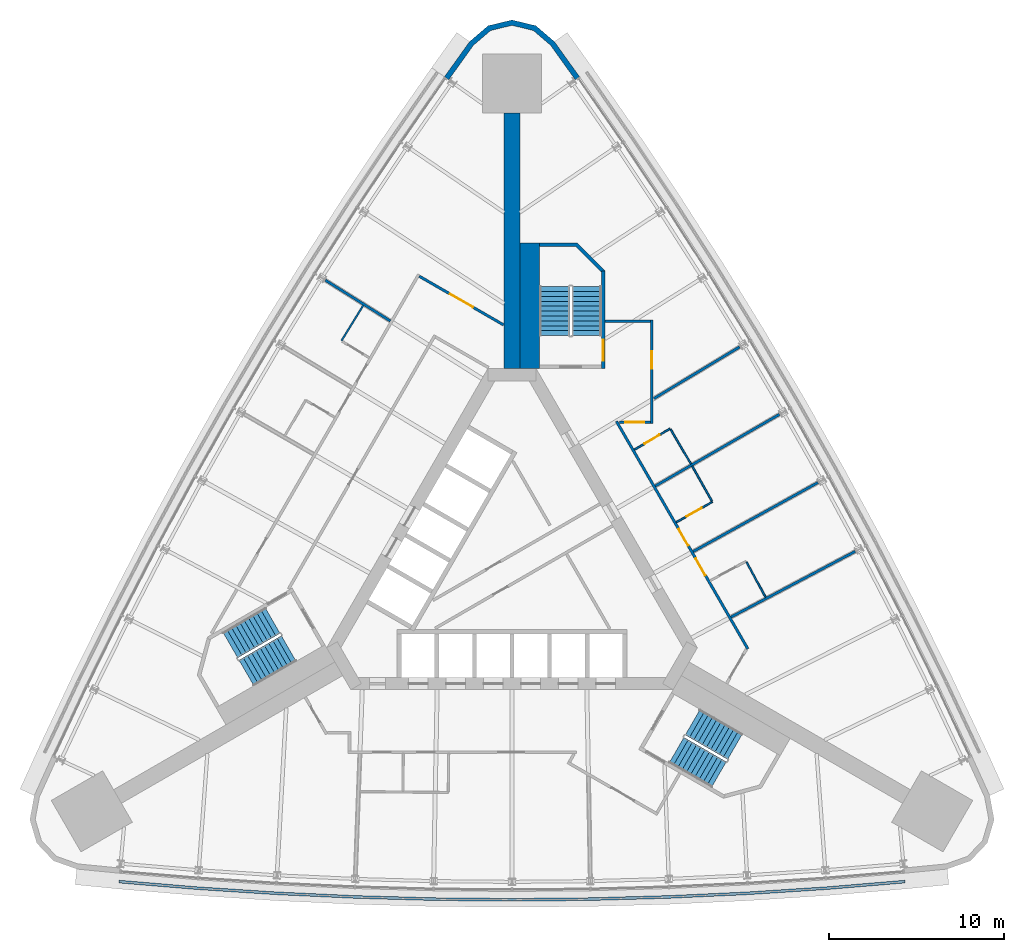
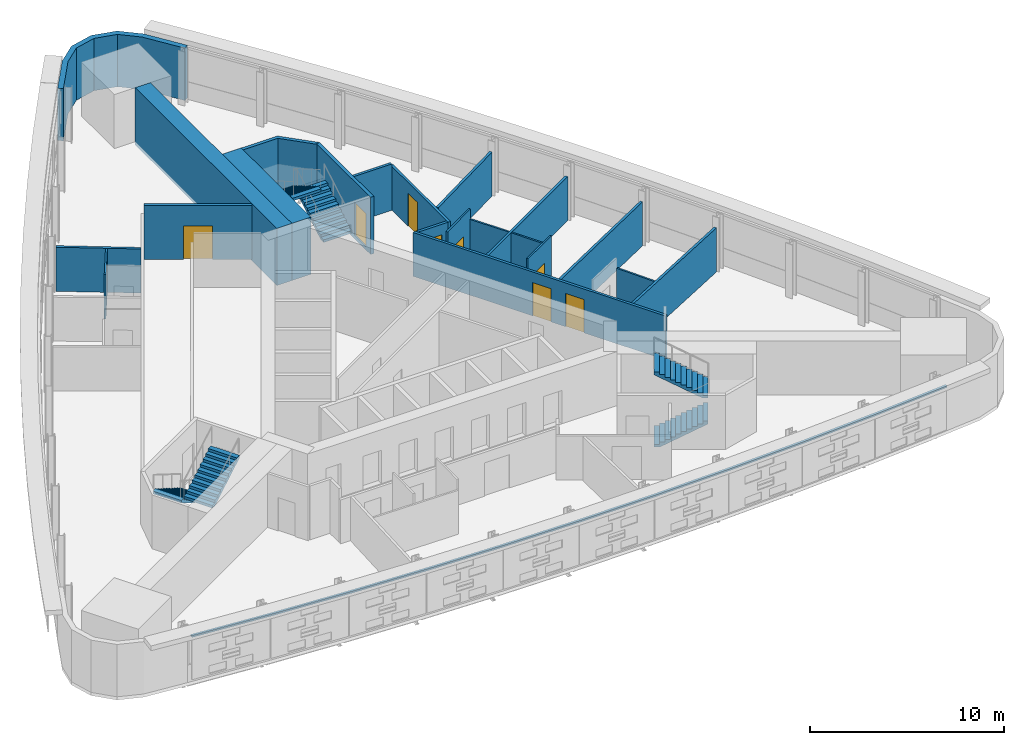
# One storey, part 12 of 15: 21 walls, 8 doors, 6 stair flights, 1 discrete accessory, 8 openings, 3 elements without a shape of their own.
"""IFC4 building model written with IfcOpenShell, lengths in metres."""

from ifc_helpers import new_model, si_unit, direction, frame, frame_2d, origin, place, context, subcontext, project, spatial, polyline, rectangle, outline, extrude, material, layer, layer_set, type_object, element, fill, aggregate, save


model = new_model("IFC4")

# Units and contexts
model_context = context("Model", 3, precision=1e-05, world=origin(), true_north=direction((0.0, 1.0)))
body_context = subcontext(model_context, "Body", "Model", "MODEL_VIEW")
ifc_project = project(units=[si_unit("LENGTHUNIT", "METRE"), si_unit("AREAUNIT", "SQUARE_METRE"), si_unit("VOLUMEUNIT", "CUBIC_METRE"), si_unit("PLANEANGLEUNIT", "RADIAN"), si_unit("MASSUNIT", "GRAM", prefix="KILO")], contexts=[model_context])

# Site, building, storey
site_placement = place(None, origin())
site = spatial("IfcSite", under=ifc_project, at=site_placement, CompositionType="ELEMENT")
building_placement = place(site_placement, origin())
building = spatial("IfcBuilding", under=site, at=building_placement, Name="Noor Cloister Tower", CompositionType="ELEMENT")
storey_placement = place(building_placement, frame((0.0, 0.0, 31.199951171875)))
storey = spatial("IfcBuildingStorey", under=building, at=storey_placement, Name="L07", CompositionType="ELEMENT", Elevation=31.199951171875)

# Wall
ifc_material_1 = material(Name="Concrete C80/95", Category="concrete")
ifc_layer_1 = layer(ifc_material_1, 0.89990234375)
ifc_layer_set_1 = layer_set([ifc_layer_1], Name="Buttress wall 900 C80/95")
wall_type_1 = type_object("IfcWallType", Name="Buttress wall 900 C80/95", PredefinedType="SHEAR", material=ifc_layer_set_1)
wall_1_placement = place(storey_placement, frame((0.0, 11.456298828125, -0.199951171875), z_axis=(0.0, 0.0, 1.0), x_axis=(0.0, 1.0, 0.0)))
element("IfcWall", 1, at=wall_1_placement, inside=storey, type_object=wall_type_1, Name="Buttress wall N L07", PredefinedType="SHEAR", context=body_context, shape_type="SweptSolid", body=[
    extrude(rectangle(XDim=14.6328125, YDim=0.89990234375, at=frame_2d((7.31640625, 0.0))), origin(), (0.0, 0.0, 1.0), 3.60009765625),
])

# Wall, openings, doors
ifc_material_2 = material(Name="Gypsum board partition on steel studs, 150 mm", Category="steel")
ifc_layer_2 = layer(ifc_material_2, 0.14990234375)
ifc_layer_set_2 = layer_set([ifc_layer_2], Name="Flat wall 150")
wall_type_2 = type_object("IfcWallType", Name="Flat wall 150", PredefinedType="PARTITIONING", material=ifc_layer_set_2)
wall_2_placement = place(storey_placement, frame((5.9814453125, 8.4462890625, 0.0), z_axis=(0.0, 0.0, 1.0), x_axis=(0.499996620721, -0.866027354803, 0.0)))
wall_2 = element("IfcWall", 2, at=wall_2_placement, inside=storey, type_object=wall_type_2, Name="Flat wall 150 L07 003", PredefinedType="PARTITIONING", context=body_context, shape_type="SweptSolid", body=[
    extrude(rectangle(XDim=15.056640625, YDim=0.14990234375, at=frame_2d((7.5283203125, 0.0))), origin(), (0.0, 0.0, 1.0), 2.76806640625),
])
opening_1_placement = place(wall_2_placement, frame((9.08740234375, 0.0, 0.0)))
opening_1 = element("IfcOpeningElement", 3, at=opening_1_placement, cuts=wall_2, Name="Opening L07-005", PredefinedType="OPENING", context=body_context, shape_type="SweptSolid", body=[
    extrude(rectangle(XDim=1.10009765625, YDim=2.10009765625, at=frame_2d((0.550048828125, 1.050048828125))), frame((0.0, 0.0849609375, 0.0), z_axis=(0.0, -1.0, 0.0), x_axis=(1.0, 0.0, 0.0)), (0.0, 0.0, 1.0), 0.169921875),
])
opening_2_placement = place(wall_2_placement, frame((7.127685546875, 0.0, 0.0)))
opening_2 = element("IfcOpeningElement", 4, at=opening_2_placement, cuts=wall_2, Name="Opening L07-006", PredefinedType="OPENING", context=body_context, shape_type="SweptSolid", body=[
    extrude(rectangle(XDim=1.10009765625, YDim=2.10009765625, at=frame_2d((0.550048828125, 1.050048828125))), frame((0.0, 0.0849609375, 0.0), z_axis=(0.0, -1.0, 0.0), x_axis=(1.0, 0.0, 0.0)), (0.0, 0.0, 1.0), 0.169921875),
])
ifc_material_3 = material(Name="Timber door leaf with steel frame", Category="steel")
door_type_1 = type_object("IfcDoorType", Name="Resident room door 1100", OperationType="NOTDEFINED", PredefinedType="DOOR", material=ifc_material_3)
door_1_placement = place(opening_1_placement, origin())
door_1 = element("IfcDoor", 5, at=door_1_placement, inside=storey, type_object=door_type_1, Name="Resident room door 1100 L07-005", OperationType="SINGLE_SWING_RIGHT", OverallHeight=2.10009765625, OverallWidth=1.10009765625, PredefinedType="DOOR", context=body_context, shape_type="SweptSolid", body=[
    extrude(rectangle(XDim=1.10009765625, YDim=2.10009765625, at=frame_2d((0.550048828125, 1.050048828125))), frame((0.0, 0.02490234375, 0.0), z_axis=(0.0, -1.0, 0.0), x_axis=(1.0, 0.0, 0.0)), (0.0, 0.0, 1.0), 0.050048828125),
])
fill(opening_1, door_1)
door_2_placement = place(opening_2_placement, origin())
door_2 = element("IfcDoor", 6, at=door_2_placement, inside=storey, type_object=door_type_1, Name="Resident room door 1100 L07-006", OperationType="SINGLE_SWING_RIGHT", OverallHeight=2.10009765625, OverallWidth=1.10009765625, PredefinedType="DOOR", context=body_context, shape_type="SweptSolid", body=[
    extrude(rectangle(XDim=1.10009765625, YDim=2.10009765625, at=frame_2d((0.550048828125, 1.050048828125))), frame((0.0, 0.02490234375, 0.0), z_axis=(0.0, -1.0, 0.0), x_axis=(1.0, 0.0, 0.0)), (0.0, 0.0, 1.0), 0.050048828125),
])
fill(opening_2, door_2)

# Wall, opening, door
wall_3_placement = place(storey_placement, frame((8.010498046875, 14.25634765625, 0.0), z_axis=(0.0, 0.0, 1.0), x_axis=(0.0, -1.0, 0.0)))
wall_3 = element("IfcWall", 7, at=wall_3_placement, inside=storey, type_object=wall_type_2, Name="Flat wall 150 L07 005", PredefinedType="PARTITIONING", context=body_context, shape_type="SweptSolid", body=[
    extrude(rectangle(XDim=5.949951171875, YDim=0.14990234375, at=frame_2d((2.97509765625, 0.0))), origin(), (0.0, 0.0, 1.0), 2.76806640625),
])
opening_3_placement = place(wall_3_placement, frame((1.80712890625, 0.0, 0.0)))
opening_3 = element("IfcOpeningElement", 8, at=opening_3_placement, cuts=wall_3, Name="Opening L07-010", PredefinedType="OPENING", context=body_context, shape_type="SweptSolid", body=[
    extrude(rectangle(XDim=1.0, YDim=2.10009765625, at=frame_2d((0.5, 1.050048828125))), frame((0.0, 0.0849609375, 0.0), z_axis=(0.0, -1.0, 0.0), x_axis=(1.0, 0.0, 0.0)), (0.0, 0.0, 1.0), 0.169921875),
])
ifc_material_4 = material(Name="Timber door leaf with steel frame", Category="steel")
door_type_2 = type_object("IfcDoorType", Name="Interior door 1000 FD60", OperationType="NOTDEFINED", PredefinedType="DOOR", material=ifc_material_4)
door_3_placement = place(opening_3_placement, origin())
door_3 = element("IfcDoor", 9, at=door_3_placement, inside=storey, type_object=door_type_2, Name="Interior door 1000 L07-010", OperationType="SINGLE_SWING_LEFT", OverallHeight=2.10009765625, OverallWidth=1.0, PredefinedType="DOOR", context=body_context, shape_type="SweptSolid", body=[
    extrude(rectangle(XDim=1.0, YDim=2.10009765625, at=frame_2d((0.5, 1.050048828125))), frame((0.0, 0.02490234375, 0.0), z_axis=(0.0, -1.0, 0.0), x_axis=(1.0, 0.0, 0.0)), (0.0, 0.0, 1.0), 0.050048828125),
])
fill(opening_3, door_3)

wall_4_placement = place(storey_placement, frame((-5.3125, 16.754638671875, 0.0), z_axis=(0.0, 0.0, 1.0), x_axis=(0.866028693448, -0.499994302092, 0.0)))
wall_4 = element("IfcWall", 10, at=wall_4_placement, inside=storey, type_object=wall_type_2, Name="Flat wall 150 L07 007", PredefinedType="PARTITIONING", context=body_context, shape_type="SweptSolid", body=[
    extrude(rectangle(XDim=5.5712890625, YDim=0.14990234375, at=frame_2d((2.78564453125, 0.0))), origin(), (0.0, 0.0, 1.0), 3.400146484375),
])
opening_4_placement = place(wall_4_placement, frame((2.045166015625, 0.0, 0.0)))
opening_4 = element("IfcOpeningElement", 11, at=opening_4_placement, cuts=wall_4, Name="Opening L07-012", PredefinedType="OPENING", context=body_context, shape_type="SweptSolid", body=[
    extrude(rectangle(XDim=1.5, YDim=2.10009765625, at=frame_2d((0.75, 1.050048828125))), frame((0.0, 0.0849609375, 0.0), z_axis=(0.0, -1.0, 0.0), x_axis=(1.0, 0.0, 0.0)), (0.0, 0.0, 1.0), 0.169921875),
])
ifc_material_5 = material(Name="Timber door leaf with steel frame", Category="steel")
door_type_3 = type_object("IfcDoorType", Name="Double door 1500 FD60", OperationType="NOTDEFINED", PredefinedType="DOOR", material=ifc_material_5)
door_4_placement = place(opening_4_placement, origin())
door_4 = element("IfcDoor", 12, at=door_4_placement, inside=storey, type_object=door_type_3, Name="Double door 1500 L07-012", OperationType="DOUBLE_DOOR_SINGLE_SWING", OverallHeight=2.10009765625, OverallWidth=1.5, PredefinedType="DOOR", context=body_context, shape_type="SweptSolid", body=[
    extrude(rectangle(XDim=1.5, YDim=2.10009765625, at=frame_2d((0.75, 1.050048828125))), frame((0.0, 0.02490234375, 0.0), z_axis=(0.0, -1.0, 0.0), x_axis=(1.0, 0.0, 0.0)), (0.0, 0.0, 1.0), 0.050048828125),
])
fill(opening_4, door_4)

# Wall
wall_5_placement = place(storey_placement, frame((5.335693359375, 14.181396484375, 0.0), z_axis=(0.0, 0.0, 1.0), x_axis=(1.0, 0.0, 0.0)))
element("IfcWall", 13, at=wall_5_placement, inside=storey, type_object=wall_type_2, Name="Flat wall 150 L07 009", PredefinedType="PARTITIONING", context=body_context, shape_type="SweptSolid", body=[
    extrude(rectangle(XDim=2.599853515625, YDim=0.14990234375, at=frame_2d((1.2998046875, 0.0))), origin(), (0.0, 0.0, 1.0), 2.923095703125),
])

# Wall, opening, door
wall_6_placement = place(storey_placement, frame((7.935546875, 8.38134765625, 0.0), z_axis=(0.0, 0.0, 1.0), x_axis=(-1.0, 0.0, 0.0)))
wall_6 = element("IfcWall", 14, at=wall_6_placement, inside=storey, type_object=wall_type_2, Name="Flat wall 150 L07 013", PredefinedType="PARTITIONING", context=body_context, shape_type="SweptSolid", body=[
    extrude(rectangle(XDim=1.786865234375, YDim=0.14990234375, at=frame_2d((0.8935546875, 0.0))), origin(), (0.0, 0.0, 1.0), 2.76806640625),
])
opening_5_placement = place(wall_6_placement, frame((0.352783203125, 0.0, 0.0)))
opening_5 = element("IfcOpeningElement", 15, at=opening_5_placement, cuts=wall_6, Name="Opening L07-015", PredefinedType="OPENING", context=body_context, shape_type="SweptSolid", body=[
    extrude(rectangle(XDim=1.10009765625, YDim=2.10009765625, at=frame_2d((0.550048828125, 1.050048828125))), frame((0.0, 0.0849609375, 0.0), z_axis=(0.0, -1.0, 0.0), x_axis=(1.0, 0.0, 0.0)), (0.0, 0.0, 1.0), 0.169921875),
])
door_5_placement = place(opening_5_placement, origin())
door_5 = element("IfcDoor", 16, at=door_5_placement, inside=storey, type_object=door_type_1, Name="Resident room door 1100 L07-015", OperationType="SINGLE_SWING_RIGHT", OverallHeight=2.10009765625, OverallWidth=1.10009765625, PredefinedType="DOOR", context=body_context, shape_type="SweptSolid", body=[
    extrude(rectangle(XDim=1.10009765625, YDim=2.10009765625, at=frame_2d((0.550048828125, 1.050048828125))), frame((0.0, 0.02490234375, 0.0), z_axis=(0.0, -1.0, 0.0), x_axis=(1.0, 0.0, 0.0)), (0.0, 0.0, 1.0), 0.050048828125),
])
fill(opening_5, door_5)

# Walls
wall_7_placement = place(storey_placement, frame((15.31396484375, 8.841552734375, 0.0), z_axis=(0.0, 0.0, 1.0), x_axis=(-0.866015124653, -0.500017803555, 0.0)))
element("IfcWall", 17, at=wall_7_placement, inside=storey, type_object=wall_type_2, Name="Flat wall 150 L07 017", PredefinedType="PARTITIONING", context=body_context, shape_type="SweptSolid", body=[
    extrude(rectangle(XDim=8.204833984375, YDim=0.14990234375, at=frame_2d((4.1025390625, 0.0))), origin(), (0.0, 0.0, 1.0), 2.76806640625),
])
wall_8_placement = place(storey_placement, frame((17.5205078125, 4.936767578125, 0.0), z_axis=(0.0, 0.0, 1.0), x_axis=(-0.875148563779, -0.483854307944, 0.0)))
element("IfcWall", 18, at=wall_8_placement, inside=storey, type_object=wall_type_2, Name="Flat wall 150 L07 018", PredefinedType="PARTITIONING", context=body_context, shape_type="SweptSolid", body=[
    extrude(rectangle(XDim=8.16357421875, YDim=0.14990234375, at=frame_2d((4.081787109375, 0.0))), origin(), (0.0, 0.0, 1.0), 2.76806640625),
])
wall_9_placement = place(storey_placement, frame((19.654052734375, 0.99169921875, 0.0), z_axis=(0.0, 0.0, 1.0), x_axis=(-0.883980590433, -0.467523599124, 0.0)))
element("IfcWall", 19, at=wall_9_placement, inside=storey, type_object=wall_type_2, Name="Flat wall 150 L07 019", PredefinedType="PARTITIONING", context=body_context, shape_type="SweptSolid", body=[
    extrude(rectangle(XDim=8.041259765625, YDim=0.14990234375, at=frame_2d((4.0205078125, 0.0))), origin(), (0.0, 0.0, 1.0), 2.778076171875),
])
wall_10_placement = place(storey_placement, frame((13.03564453125, 12.704833984375, 0.0), z_axis=(0.0, 0.0, 1.0), x_axis=(-0.856612490534, -0.515960309579, 0.0)))
element("IfcWall", 20, at=wall_10_placement, inside=storey, type_object=wall_type_2, Name="Flat wall 150 L07 022", PredefinedType="PARTITIONING", context=body_context, shape_type="SweptSolid", body=[
    extrude(rectangle(XDim=5.7333984375, YDim=0.14990234375, at=frame_2d((2.86669921875, 0.0))), origin(), (0.0, 0.0, 1.0), 2.76806640625),
])
wall_11_placement = place(storey_placement, frame((-10.685791015625, 16.525146484375, 0.0), z_axis=(0.0, 0.0, 1.0), x_axis=(0.846871345174, -0.531797823165, 0.0)))
element("IfcWall", 21, at=wall_11_placement, inside=storey, type_object=wall_type_2, Name="Flat wall 150 L07 025", PredefinedType="PARTITIONING", context=body_context, shape_type="SweptSolid", body=[
    extrude(rectangle(XDim=4.388916015625, YDim=0.14990234375, at=frame_2d((2.1943359375, 0.0))), origin(), (0.0, 0.0, 1.0), 2.778076171875),
])
ifc_material_6 = material(Name="Limestone", Category="masonry")
ifc_layer_3 = layer(ifc_material_6, 0.300048828125)
ifc_layer_set_3 = layer_set([ifc_layer_3], Name="Limestone cladding 300")
wall_type_3 = type_object("IfcWallType", Name="Limestone cladding 300", PredefinedType="NOTDEFINED", material=ifc_layer_set_3)
wall_12_placement = place(storey_placement, origin())
element("IfcWall", 22, at=wall_12_placement, inside=storey, type_object=wall_type_3, Name="Limestone pier cladding L07 3.1", PredefinedType="NOTDEFINED", context=body_context, shape_type="SweptSolid", body=[
    extrude(outline(polyline([(3.869873046875, 28.177734375), (2.43017578125, 30.188232421875), (1.3642578125, 31.100830078125), (0.0, 31.428955078125), (-1.3642578125, 31.100830078125), (-2.43017578125, 30.188232421875), (-3.869873046875, 28.177734375), (-3.6259765625, 28.003173828125), (-2.20751953125, 29.98388671875), (-1.223876953125, 30.826171875), (0.0, 31.12060546875), (1.223876953125, 30.826171875), (2.20751953125, 29.98388671875), (3.6259765625, 28.003173828125), (3.869873046875, 28.177734375)])), origin(), (0.0, 0.0, 1.0), 3.300048828125),
])

# Wall, opening, door
ifc_material_7 = material(Name="Gypsum board partition on steel studs, 100 mm", Category="steel")
ifc_layer_4 = layer(ifc_material_7, 0.10009765625)
ifc_layer_set_4 = layer_set([ifc_layer_4], Name="Partition 100")
wall_type_4 = type_object("IfcWallType", Name="Partition 100", PredefinedType="PARTITIONING", material=ifc_layer_set_4)
wall_13_placement = place(storey_placement, frame((9.408203125, 2.66162109375, 0.0), z_axis=(0.0, 0.0, 1.0), x_axis=(0.870608725809, 0.491976062981, 0.0)))
wall_13 = element("IfcWall", 23, at=wall_13_placement, inside=storey, type_object=wall_type_4, Name="Partition 100 L07 027", PredefinedType="PARTITIONING", context=body_context, shape_type="SweptSolid", body=[
    extrude(rectangle(XDim=2.3779296875, YDim=0.10009765625, at=frame_2d((1.18896484375, 0.0))), origin(), (0.0, 0.0, 1.0), 3.400146484375),
])
opening_6_placement = place(wall_13_placement, frame((0.677978515625, 0.0, 0.0)))
opening_6 = element("IfcOpeningElement", 24, at=opening_6_placement, cuts=wall_13, Name="Opening L07-016", PredefinedType="OPENING", context=body_context, shape_type="SweptSolid", body=[
    extrude(rectangle(XDim=1.0, YDim=2.10009765625, at=frame_2d((0.5, 1.050048828125))), frame((0.0, 0.06005859375, 0.0), z_axis=(0.0, -1.0, 0.0), x_axis=(1.0, 0.0, 0.0)), (0.0, 0.0, 1.0), 0.1201171875),
])
ifc_material_8 = material(Name="Timber door leaf with steel frame", Category="steel")
door_type_4 = type_object("IfcDoorType", Name="Interior door 1000", OperationType="NOTDEFINED", PredefinedType="DOOR", material=ifc_material_8)
door_6_placement = place(opening_6_placement, origin())
door_6 = element("IfcDoor", 25, at=door_6_placement, inside=storey, type_object=door_type_4, Name="Interior door 1000 L07-016", OperationType="SINGLE_SWING_LEFT", OverallHeight=2.10009765625, OverallWidth=1.0, PredefinedType="DOOR", context=body_context, shape_type="SweptSolid", body=[
    extrude(rectangle(XDim=1.0, YDim=2.10009765625, at=frame_2d((0.5, 1.050048828125))), frame((0.0, 0.02490234375, 0.0), z_axis=(0.0, -1.0, 0.0), x_axis=(1.0, 0.0, 0.0)), (0.0, 0.0, 1.0), 0.050048828125),
])
fill(opening_6, door_6)

wall_14_placement = place(storey_placement, frame((9.0576171875, 8.02490234375, 0.0), z_axis=(0.0, 0.0, 1.0), x_axis=(-0.861363599661, -0.507988926236, 0.0)))
wall_14 = element("IfcWall", 26, at=wall_14_placement, inside=storey, type_object=wall_type_4, Name="Partition 100 L07 028", PredefinedType="PARTITIONING", context=body_context, shape_type="SweptSolid", body=[
    extrude(rectangle(XDim=2.3779296875, YDim=0.10009765625, at=frame_2d((1.18896484375, 0.0))), origin(), (0.0, 0.0, 1.0), 3.400146484375),
])
opening_7_placement = place(wall_14_placement, frame((0.699951171875, 0.0, 0.0)))
opening_7 = element("IfcOpeningElement", 27, at=opening_7_placement, cuts=wall_14, Name="Opening L07-017", PredefinedType="OPENING", context=body_context, shape_type="SweptSolid", body=[
    extrude(rectangle(XDim=1.0, YDim=2.10009765625, at=frame_2d((0.5, 1.050048828125))), frame((0.0, 0.06005859375, 0.0), z_axis=(0.0, -1.0, 0.0), x_axis=(1.0, 0.0, 0.0)), (0.0, 0.0, 1.0), 0.1201171875),
])
door_7_placement = place(opening_7_placement, origin())
door_7 = element("IfcDoor", 28, at=door_7_placement, inside=storey, type_object=door_type_4, Name="Interior door 1000 L07-017", OperationType="SINGLE_SWING_RIGHT", OverallHeight=2.10009765625, OverallWidth=1.0, PredefinedType="DOOR", context=body_context, shape_type="SweptSolid", body=[
    extrude(rectangle(XDim=1.0, YDim=2.10009765625, at=frame_2d((0.5, 1.050048828125))), frame((0.0, 0.02490234375, 0.0), z_axis=(0.0, -1.0, 0.0), x_axis=(1.0, 0.0, 0.0)), (0.0, 0.0, 1.0), 0.050048828125),
])
fill(opening_7, door_7)

# Walls
wall_15_placement = place(storey_placement, frame((-8.523193359375, 15.078125, 0.0), z_axis=(0.0, 0.0, 1.0), x_axis=(-0.523925395227, -0.851764157638, 0.0)))
element("IfcWall", 29, at=wall_15_placement, inside=storey, type_object=wall_type_4, Name="Partition 100 L07 029", PredefinedType="PARTITIONING", context=body_context, shape_type="SweptSolid", body=[
    extrude(rectangle(XDim=2.37548828125, YDim=0.10009765625, at=frame_2d((1.187744140625, 0.0))), origin(), (0.0, 0.0, 1.0), 2.778076171875),
])
wall_16_placement = place(storey_placement, frame((14.524169921875, -1.635986328125, 0.0), z_axis=(0.0, 0.0, 1.0), x_axis=(-0.475734975891, 0.879588672457, 0.0)))
element("IfcWall", 30, at=wall_16_placement, inside=storey, type_object=wall_type_4, Name="Partition 100 L07 032", PredefinedType="PARTITIONING", context=body_context, shape_type="SweptSolid", body=[
    extrude(rectangle(XDim=2.2958984375, YDim=0.10009765625, at=frame_2d((1.14794921875, 0.0))), origin(), (0.0, 0.0, 1.0), 2.778076171875),
])
for number, where, z_axis, x_axis, name in (
    (31, (10.32470703125, 5.873779296875, 0.0), (0.0, 0.0, 1.0), (0.491941616, -0.870628190703, 0.0), "Partition 100 L07 033"),
    (32, (10.249267578125, 6.00439453125, 0.0), (0.0, 0.0, 1.0), (-0.507991089151, 0.861362324079, 0.0), "Partition 100 L07 034"),
):
    element("IfcWall", number, at=place(storey_placement, frame(where, z_axis=z_axis, x_axis=x_axis)), inside=storey, type_object=wall_type_4, Name=name, PredefinedType="PARTITIONING", context=body_context, shape_type="SweptSolid", body=[
        extrude(rectangle(XDim=2.2958984375, YDim=0.10009765625, at=frame_2d((1.14794921875, 0.0))), origin(), (0.0, 0.0, 1.0), 2.76806640625),
    ])
ifc_material_9 = material(Name="Concrete C80/95", Category="concrete")
ifc_layer_5 = layer(ifc_material_9, 1.135986328125)
ifc_layer_set_5 = layer_set([ifc_layer_5], Name="Stair enclosure wall 1136 C80/95")
wall_type_5 = type_object("IfcWallType", Name="Stair enclosure wall 1136 C80/95", PredefinedType="SHEAR", material=ifc_layer_set_5)
wall_17_placement = place(storey_placement, frame((1.017822265625, 11.456298828125, -0.199951171875), z_axis=(0.0, 0.0, 1.0), x_axis=(0.0, 1.0, 0.0)))
element("IfcWall", 33, at=wall_17_placement, inside=storey, type_object=wall_type_5, Name="Stair enclosure wall ST1 L07 riser side", PredefinedType="SHEAR", context=body_context, shape_type="SweptSolid", body=[
    extrude(rectangle(XDim=7.2001953125, YDim=1.1357421875, at=frame_2d((3.60009765625, 0.0))), origin(), (0.0, 0.0, 1.0), 3.60009765625),
])

# Wall, opening, door
ifc_material_10 = material(Name="Concrete C80/95", Category="concrete")
ifc_layer_6 = layer(ifc_material_10, 0.199951171875)
ifc_layer_set_6 = layer_set([ifc_layer_6], Name="Stair enclosure wall 200 C80/95")
wall_type_6 = type_object("IfcWallType", Name="Stair enclosure wall 200 C80/95", PredefinedType="SHEAR", material=ifc_layer_set_6)
wall_18_placement = place(storey_placement, frame((5.235595703125, 11.456298828125, -0.199951171875), z_axis=(0.0, 0.0, 1.0), x_axis=(0.0, 1.0, 0.0)))
wall_18 = element("IfcWall", 34, at=wall_18_placement, inside=storey, type_object=wall_type_6, Name="Stair enclosure wall ST1 L07 outer side", PredefinedType="SHEAR", context=body_context, shape_type="SweptSolid", body=[
    extrude(rectangle(XDim=5.60009765625, YDim=0.199951171875, at=frame_2d((2.800048828125, 0.0))), origin(), (0.0, 0.0, 1.0), 3.60009765625),
])
opening_8_placement = place(wall_18_placement, frame((0.449951171875, 0.0, 0.199951171875)))
opening_8 = element("IfcOpeningElement", 35, at=opening_8_placement, cuts=wall_18, Name="Opening L07-ST1C", PredefinedType="OPENING", context=body_context, shape_type="SweptSolid", body=[
    extrude(rectangle(XDim=1.199951171875, YDim=2.10009765625, at=frame_2d((0.60009765625, 1.050048828125))), frame((0.0, 0.10986328125, 0.0), z_axis=(0.0, -1.0, 0.0), x_axis=(1.0, 0.0, 0.0)), (0.0, 0.0, 1.0), 0.219970703125),
])
ifc_material_11 = material(Name="Steel", Category="steel")
door_type_5 = type_object("IfcDoorType", Name="Stair door 1200 x 2100 FD120", OperationType="SINGLE_SWING_LEFT", PredefinedType="DOOR", material=ifc_material_11)
door_8_placement = place(opening_8_placement, origin())
door_8 = element("IfcDoor", 36, at=door_8_placement, inside=storey, type_object=door_type_5, Name="Stair door ST1 L07", OperationType="SINGLE_SWING_LEFT", OverallHeight=2.10009765625, OverallWidth=1.199951171875, PredefinedType="DOOR", context=body_context, shape_type="SweptSolid", body=[
    extrude(rectangle(XDim=1.199951171875, YDim=2.10009765625, at=frame_2d((0.60009765625, 1.050048828125))), frame((0.0, 0.02490234375, 0.0), z_axis=(0.0, -1.0, 0.0), x_axis=(1.0, 0.0, 0.0)), (0.0, 0.0, 1.0), 0.050048828125),
])
fill(opening_8, door_8)

# Wall
ifc_material_12 = material(Name="Concrete C80/95", Category="concrete")
wall_type_7 = type_object("IfcWallType", Name="Stair far end wall C80/95", PredefinedType="SHEAR", material=ifc_material_12)
wall_19_placement = place(storey_placement, frame((0.0, 0.0, -0.199951171875)))
element("IfcWall", 37, at=wall_19_placement, inside=storey, type_object=wall_type_7, Name="Stair enclosure wall ST1 L07 far end", PredefinedType="SHEAR", context=body_context, shape_type="SweptSolid", body=[
    extrude(outline(polyline([(5.335693359375, 17.056396484375), (3.735595703125, 18.656494140625), (1.585693359375, 18.656494140625), (1.585693359375, 18.456298828125), (3.65283203125, 18.456298828125), (5.135498046875, 16.9736328125), (5.135498046875, 17.056396484375), (5.135498046875, 17.056396484375), (5.135498046875, 17.056396484375), (5.135498046875, 17.056396484375), (5.135498046875, 17.056396484375), (5.135498046875, 17.056396484375), (5.135498046875, 17.056396484375), (5.135498046875, 17.056396484375), (5.135498046875, 17.056396484375), (5.135498046875, 17.056396484375), (5.135498046875, 17.056396484375), (5.135498046875, 17.056396484375), (5.135498046875, 17.056396484375), (5.135498046875, 17.056396484375), (5.135498046875, 17.056396484375), (5.135498046875, 17.056396484375), (5.135498046875, 17.056396484375), (5.335693359375, 17.056396484375)])), origin(), (0.0, 0.0, 1.0), 3.60009765625),
])

# Stair, stair flights
ifc_material_13 = material(Name="Concrete C40/50", Category="concrete")
stair_type = type_object("IfcStairType", Name="Exit stair 22 risers", PredefinedType="HALF_TURN_STAIR", material=ifc_material_13)
stair_1_placement = place(storey_placement, origin())
stair_1 = element("IfcStair", 38, at=stair_1_placement, inside=storey, type_object=stair_type, Name="Exit stair ST1 L07", PredefinedType="HALF_TURN_STAIR")
ifc_material_14 = material(Name="Concrete C40/50", Category="concrete")
stair_flight_type = type_object("IfcStairFlightType", Name="Exit stair flight", PredefinedType="STRAIGHT", material=ifc_material_14)
stair_flight_1_placement = place(storey_placement, frame((4.28564453125, 13.3564453125, 0.0), z_axis=(0.0, 0.0, 1.0), x_axis=(0.0, 1.0, 0.0)))
stair_flight_1 = element("IfcStairFlight", 39, at=stair_flight_1_placement, type_object=stair_flight_type, Name="ST1 flight 1", NumberOfRisers=11, NumberOfTreads=10, PredefinedType="STRAIGHT", RiserHeight=0.163636364, TreadLength=0.28, context=body_context, shape_type="SweptSolid", body=[
    extrude(outline(polyline([(0.0, 0.0), (0.0, 0.16357421875), (0.280029296875, 0.16357421875), (0.280029296875, 0.327392578125), (0.56005859375, 0.327392578125), (0.56005859375, 0.490966796875), (0.840087890625, 0.490966796875), (0.840087890625, 0.654541015625), (1.1201171875, 0.654541015625), (1.1201171875, 0.818115234375), (1.39990234375, 0.818115234375), (1.39990234375, 0.98193359375), (1.679931640625, 0.98193359375), (1.679931640625, 1.1455078125), (1.9599609375, 1.1455078125), (1.9599609375, 1.30908203125), (2.239990234375, 1.30908203125), (2.239990234375, 1.47265625), (2.52001953125, 1.47265625), (2.52001953125, 1.636474609375), (2.800048828125, 1.636474609375), (2.800048828125, 1.800048828125), (2.800048828125, 1.462646484375), (0.297119140625, 0.0), (0.0, 0.0)])), frame((0.0, 0.85009765625, 0.0), z_axis=(0.0, -1.0, 0.0), x_axis=(1.0, 0.0, 0.0)), (0.0, 0.0, 1.0), 1.699951171875),
])
stair_flight_2_placement = place(storey_placement, frame((2.435546875, 16.156494140625, 1.800048828125), z_axis=(0.0, 0.0, 1.0), x_axis=(0.0, -1.0, 0.0)))
stair_flight_2 = element("IfcStairFlight", 40, at=stair_flight_2_placement, type_object=stair_flight_type, Name="ST1 flight 2", NumberOfRisers=11, NumberOfTreads=10, PredefinedType="STRAIGHT", RiserHeight=0.163636364, TreadLength=0.28, context=body_context, shape_type="SweptSolid", body=[
    extrude(outline(polyline([(0.0, 0.0), (0.0, 0.16357421875), (0.280029296875, 0.16357421875), (0.280029296875, 0.327392578125), (0.56005859375, 0.327392578125), (0.56005859375, 0.490966796875), (0.840087890625, 0.490966796875), (0.840087890625, 0.654541015625), (1.1201171875, 0.654541015625), (1.1201171875, 0.818115234375), (1.39990234375, 0.818115234375), (1.39990234375, 0.98193359375), (1.679931640625, 0.98193359375), (1.679931640625, 1.1455078125), (1.9599609375, 1.1455078125), (1.9599609375, 1.30908203125), (2.239990234375, 1.30908203125), (2.239990234375, 1.47265625), (2.52001953125, 1.47265625), (2.52001953125, 1.636474609375), (2.800048828125, 1.636474609375), (2.800048828125, 1.800048828125), (2.800048828125, 1.462646484375), (0.297119140625, 0.0), (0.0, 0.0)])), frame((0.0, 0.85009765625, 0.0), z_axis=(0.0, -1.0, 0.0), x_axis=(1.0, 0.0, 0.0)), (0.0, 0.0, 1.0), 1.699951171875),
])
aggregate(stair_1, [stair_flight_1, stair_flight_2])

stair_2_placement = place(storey_placement, origin())
stair_2 = element("IfcStair", 41, at=stair_2_placement, inside=storey, type_object=stair_type, Name="Exit stair ST2 L07", PredefinedType="HALF_TURN_STAIR")
stair_flight_3_placement = place(storey_placement, frame((-13.709716796875, -2.966796875, 0.0), z_axis=(0.0, 0.0, 1.0), x_axis=(-0.866025403784, -0.5, 0.0)))
stair_flight_3 = element("IfcStairFlight", 42, at=stair_flight_3_placement, type_object=stair_flight_type, Name="ST2 flight 1", NumberOfRisers=11, NumberOfTreads=10, PredefinedType="STRAIGHT", RiserHeight=0.163636364, TreadLength=0.28, context=body_context, shape_type="SweptSolid", body=[
    extrude(outline(polyline([(0.0, 0.0), (0.0, 0.16357421875), (0.280029296875, 0.16357421875), (0.280029296875, 0.327392578125), (0.56005859375, 0.327392578125), (0.56005859375, 0.490966796875), (0.840087890625, 0.490966796875), (0.840087890625, 0.654541015625), (1.1201171875, 0.654541015625), (1.1201171875, 0.818115234375), (1.39990234375, 0.818115234375), (1.39990234375, 0.98193359375), (1.679931640625, 0.98193359375), (1.679931640625, 1.1455078125), (1.9599609375, 1.1455078125), (1.9599609375, 1.30908203125), (2.239990234375, 1.30908203125), (2.239990234375, 1.47265625), (2.52001953125, 1.47265625), (2.52001953125, 1.636474609375), (2.800048828125, 1.636474609375), (2.800048828125, 1.800048828125), (2.800048828125, 1.462646484375), (0.297119140625, 0.0), (0.0, 0.0)])), frame((0.0, 0.85009765625, 0.0), z_axis=(0.0, -1.0, 0.0), x_axis=(1.0, 0.0, 0.0)), (0.0, 0.0, 1.0), 1.699951171875),
])
stair_flight_4_placement = place(storey_placement, frame((-15.209716796875, -5.968994140625, 1.800048828125), z_axis=(0.0, 0.0, 1.0), x_axis=(0.866025403784, 0.5, 0.0)))
stair_flight_4 = element("IfcStairFlight", 43, at=stair_flight_4_placement, type_object=stair_flight_type, Name="ST2 flight 2", NumberOfRisers=11, NumberOfTreads=10, PredefinedType="STRAIGHT", RiserHeight=0.163636364, TreadLength=0.28, context=body_context, shape_type="SweptSolid", body=[
    extrude(outline(polyline([(0.0, 0.0), (0.0, 0.16357421875), (0.280029296875, 0.16357421875), (0.280029296875, 0.327392578125), (0.56005859375, 0.327392578125), (0.56005859375, 0.490966796875), (0.840087890625, 0.490966796875), (0.840087890625, 0.654541015625), (1.1201171875, 0.654541015625), (1.1201171875, 0.818115234375), (1.39990234375, 0.818115234375), (1.39990234375, 0.98193359375), (1.679931640625, 0.98193359375), (1.679931640625, 1.1455078125), (1.9599609375, 1.1455078125), (1.9599609375, 1.30908203125), (2.239990234375, 1.30908203125), (2.239990234375, 1.47265625), (2.52001953125, 1.47265625), (2.52001953125, 1.636474609375), (2.800048828125, 1.636474609375), (2.800048828125, 1.800048828125), (2.800048828125, 1.462646484375), (0.297119140625, 0.0), (0.0, 0.0)])), frame((0.0, 0.85009765625, 0.0), z_axis=(0.0, -1.0, 0.0), x_axis=(1.0, 0.0, 0.0)), (0.0, 0.0, 1.0), 1.699951171875),
])
aggregate(stair_2, [stair_flight_3, stair_flight_4])

stair_3_placement = place(storey_placement, origin())
stair_3 = element("IfcStair", 44, at=stair_3_placement, inside=storey, type_object=stair_type, Name="Exit stair ST3 L07", PredefinedType="HALF_TURN_STAIR")
stair_flight_5_placement = place(storey_placement, frame((9.424072265625, -10.3896484375, 0.0), z_axis=(0.0, 0.0, 1.0), x_axis=(0.866025403784, -0.5, 0.0)))
stair_flight_5 = element("IfcStairFlight", 45, at=stair_flight_5_placement, type_object=stair_flight_type, Name="ST3 flight 1", NumberOfRisers=11, NumberOfTreads=10, PredefinedType="STRAIGHT", RiserHeight=0.163636364, TreadLength=0.28, context=body_context, shape_type="SweptSolid", body=[
    extrude(outline(polyline([(0.0, 0.0), (0.0, 0.16357421875), (0.280029296875, 0.16357421875), (0.280029296875, 0.327392578125), (0.56005859375, 0.327392578125), (0.56005859375, 0.490966796875), (0.840087890625, 0.490966796875), (0.840087890625, 0.654541015625), (1.1201171875, 0.654541015625), (1.1201171875, 0.818115234375), (1.39990234375, 0.818115234375), (1.39990234375, 0.98193359375), (1.679931640625, 0.98193359375), (1.679931640625, 1.1455078125), (1.9599609375, 1.1455078125), (1.9599609375, 1.30908203125), (2.239990234375, 1.30908203125), (2.239990234375, 1.47265625), (2.52001953125, 1.47265625), (2.52001953125, 1.636474609375), (2.800048828125, 1.636474609375), (2.800048828125, 1.800048828125), (2.800048828125, 1.462646484375), (0.297119140625, 0.0), (0.0, 0.0)])), frame((0.0, 0.85009765625, 0.0), z_axis=(0.0, -1.0, 0.0), x_axis=(1.0, 0.0, 0.0)), (0.0, 0.0, 1.0), 1.699951171875),
])
stair_flight_6_placement = place(storey_placement, frame((12.77392578125, -10.1875, 1.800048828125), z_axis=(0.0, 0.0, 1.0), x_axis=(-0.866025403784, 0.5, 0.0)))
stair_flight_6 = element("IfcStairFlight", 46, at=stair_flight_6_placement, type_object=stair_flight_type, Name="ST3 flight 2", NumberOfRisers=11, NumberOfTreads=10, PredefinedType="STRAIGHT", RiserHeight=0.163636364, TreadLength=0.28, context=body_context, shape_type="SweptSolid", body=[
    extrude(outline(polyline([(0.0, 0.0), (0.0, 0.16357421875), (0.280029296875, 0.16357421875), (0.280029296875, 0.327392578125), (0.56005859375, 0.327392578125), (0.56005859375, 0.490966796875), (0.840087890625, 0.490966796875), (0.840087890625, 0.654541015625), (1.1201171875, 0.654541015625), (1.1201171875, 0.818115234375), (1.39990234375, 0.818115234375), (1.39990234375, 0.98193359375), (1.679931640625, 0.98193359375), (1.679931640625, 1.1455078125), (1.9599609375, 1.1455078125), (1.9599609375, 1.30908203125), (2.239990234375, 1.30908203125), (2.239990234375, 1.47265625), (2.52001953125, 1.47265625), (2.52001953125, 1.636474609375), (2.800048828125, 1.636474609375), (2.800048828125, 1.800048828125), (2.800048828125, 1.462646484375), (0.297119140625, 0.0), (0.0, 0.0)])), frame((0.0, 0.85009765625, 0.0), z_axis=(0.0, -1.0, 0.0), x_axis=(1.0, 0.0, 0.0)), (0.0, 0.0, 1.0), 1.699951171875),
])
aggregate(stair_3, [stair_flight_5, stair_flight_6])

# Discrete accessory
ifc_material_15 = material(Name="Stainless steel grade 316", Category="steel")
discrete_accessory_type = type_object("IfcDiscreteAccessoryType", Name="Stainless hanger rail", PredefinedType="BRACKET", material=ifc_material_15)
discrete_accessory_placement = place(storey_placement, frame((0.0, 0.0, 3.199951171875)))
element("IfcDiscreteAccessory", 47, at=discrete_accessory_placement, inside=storey, type_object=discrete_accessory_type, Name="Hanger rail L07", PredefinedType="BRACKET", context=body_context, shape_type="SweptSolid", body=[
    extrude(outline(polyline([(-22.514404296875, -17.998291015625), (-18.02490234375, -18.3740234375), (-13.524169921875, -18.666748046875), (-9.018798828125, -18.875732421875), (-4.51025390625, -19.001220703125), (0.0, -19.043212890625), (4.51025390625, -19.001220703125), (9.018798828125, -18.875732421875), (13.524169921875, -18.666748046875), (18.02490234375, -18.3740234375), (22.514404296875, -17.998291015625), (22.501220703125, -17.8388671875), (18.01318359375, -18.21435546875), (13.515380859375, -18.5068359375), (9.0126953125, -18.7158203125), (4.507080078125, -18.84130859375), (0.0, -18.883056640625), (-4.507080078125, -18.84130859375), (-9.0126953125, -18.7158203125), (-13.515380859375, -18.5068359375), (-18.01318359375, -18.21435546875), (-22.501220703125, -17.8388671875), (-22.514404296875, -17.998291015625)])), origin(), (0.0, 0.0, 1.0), 0.10009765625),
])

save(model, "model.ifc")
